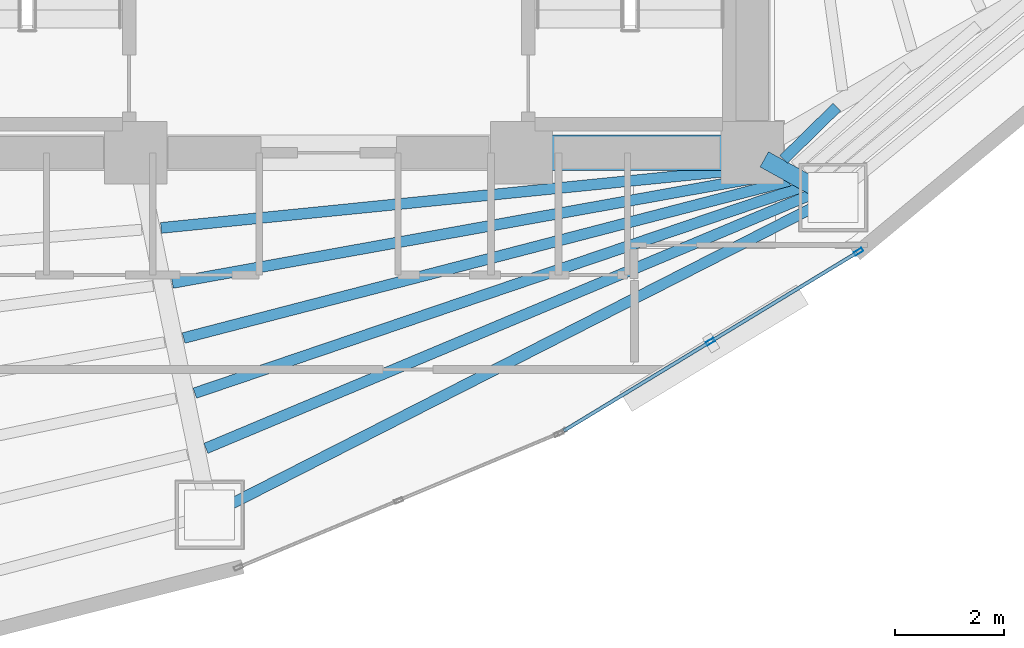
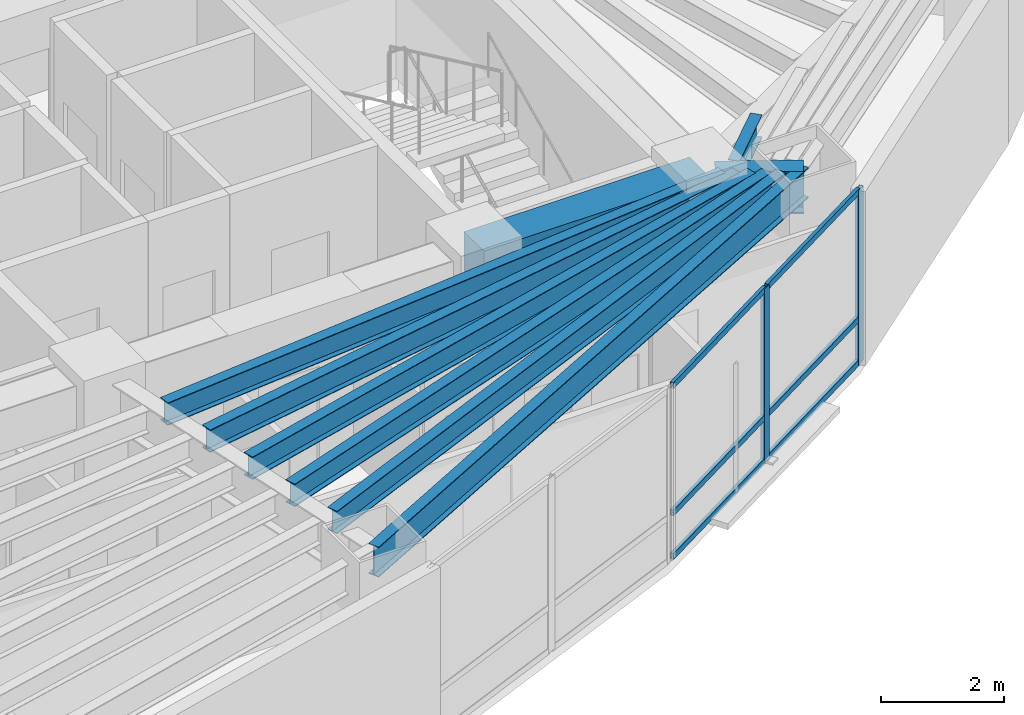
# One storey, part 5 of 16: 9 beams, 8 members, 1 element without a shape of its own.
"""IFC4 building model written with IfcOpenShell, lengths in metres."""

from ifc_helpers import new_model, si_unit, direction, frame, origin, origin_2d, place, context, subcontext, project, spatial, rectangle, hollow_rectangle, i_section, extrude, material, layer, layer_set, material_profile, profile_set, type_object, element, aggregate, save


model = new_model("IFC4")

# Units and contexts
model_context = context("Model", 3, precision=1e-05, world=origin(), true_north=direction((0.0, 1.0)))
body_context = subcontext(model_context, "Body", "Model", "MODEL_VIEW")
ifc_project = project(units=[si_unit("LENGTHUNIT", "METRE"), si_unit("AREAUNIT", "SQUARE_METRE"), si_unit("VOLUMEUNIT", "CUBIC_METRE"), si_unit("PLANEANGLEUNIT", "RADIAN"), si_unit("MASSUNIT", "GRAM", prefix="KILO")], contexts=[model_context])

# Site, building, storey
site_placement = place(None, origin())
site = spatial("IfcSite", under=ifc_project, at=site_placement, CompositionType="ELEMENT")
building_placement = place(site_placement, origin())
building = spatial("IfcBuilding", under=site, at=building_placement, Name="Menara Vayukalpa", CompositionType="ELEMENT")
storey_placement = place(building_placement, frame((0.0, 0.0, 72.239990234375)))
storey = spatial("IfcBuildingStorey", under=building, at=storey_placement, Name="L17", CompositionType="ELEMENT", Elevation=72.239990234375)

# Beams
ifc_material_1 = material(Name="Concrete C60/75", Category="concrete")
ifc_material_profile_1 = material_profile(ifc_material_1, rectangle(XDim=0.64990234375, YDim=0.85009765625, at=origin_2d()), Name="RC 650x850")
ifc_profile_set_1 = profile_set([ifc_material_profile_1], Name="Concrete C60/75")
beam_type_1 = type_object("IfcBeamType", Name="BM-CB1", PredefinedType="BEAM", material=ifc_profile_set_1)
beam_1_placement = place(storey_placement, frame((29.14990234375, 17.199951171875, 3.044921875), z_axis=(1.0, 0.0, 0.0), x_axis=(0.0, 1.0, 0.0)))
element("IfcBeam", 1, at=beam_1_placement, inside=storey, type_object=beam_type_1, Name="L17 Core Tie Beam CBR3", PredefinedType="BEAM", context=body_context, shape_type="SweptSolid", body=[
    extrude(rectangle(XDim=0.64990234375, YDim=0.85009765625, at=origin_2d()), origin(), (0.0, 0.0, 1.0), 4.25),
])
ifc_material_2 = material(Name="Steel S355", Category="steel")
ifc_material_profile_2 = material_profile(ifc_material_2, i_section(OverallWidth=0.320068359375, OverallDepth=0.85009765625, WebThickness=0.01611328125, FlangeThickness=0.030029296875, at=origin_2d()), Name="WF 850x320x16x30")
ifc_profile_set_2 = profile_set([ifc_material_profile_2], Name="Steel S355")
beam_type_2 = type_object("IfcBeamType", Name="BM-PG2", PredefinedType="BEAM", material=ifc_profile_set_2)
beam_2_placement = place(storey_placement, frame((33.618896484375, 17.0791015625, 3.044921875), z_axis=(0.875228391676, -0.48370989488, 0.0), x_axis=(0.48370989488, 0.875228391676, 0.0)))
element("IfcBeam", 2, at=beam_2_placement, inside=storey, type_object=beam_type_2, Name="L17 Primary Radial Girder RG09", PredefinedType="BEAM", context=body_context, shape_type="SweptSolid", body=[
    extrude(i_section(OverallWidth=0.320068359375, OverallDepth=0.85009765625, WebThickness=0.01611328125, FlangeThickness=0.030029296875, at=origin_2d()), origin(), (0.0, 0.0, 1.0), 1.448486328125),
])
ifc_material_3 = material(Name="Steel S355", Category="steel")
ifc_material_profile_3 = material_profile(ifc_material_3, i_section(OverallWidth=0.199951171875, OverallDepth=0.449951171875, WebThickness=0.009033203125, FlangeThickness=0.013916015625, at=origin_2d()), Name="WF 450x200x9x14")
ifc_profile_set_3 = profile_set([ifc_material_profile_3], Name="Steel S355")
beam_type_3 = type_object("IfcBeamType", Name="BM-SJ1", PredefinedType="JOIST", material=ifc_profile_set_3)
beam_3_placement = place(storey_placement, frame((22.514404296875, 15.81689453125, 3.2451171875), z_axis=(0.995012360471, 0.0997517043, 0.0), x_axis=(-0.0997517043, 0.995012360471, 0.0)))
element("IfcBeam", 3, at=beam_3_placement, inside=storey, type_object=beam_type_3, Name="L17 Secondary Floor Joist SJ08-1", PredefinedType="JOIST", context=body_context, shape_type="SweptSolid", body=[
    extrude(i_section(OverallWidth=0.199951171875, OverallDepth=0.449951171875, WebThickness=0.009033203125, FlangeThickness=0.013916015625, at=origin_2d()), origin(), (0.0, 0.0, 1.0), 11.20947265625),
])
beam_4_placement = place(storey_placement, frame((22.721923828125, 14.80322265625, 3.2451171875), z_axis=(0.984203304908, 0.177041957199, 0.0), x_axis=(-0.177041957199, 0.984203304908, 0.0)))
element("IfcBeam", 4, at=beam_4_placement, inside=storey, type_object=beam_type_3, Name="L17 Secondary Floor Joist SJ08-2", PredefinedType="JOIST", context=body_context, shape_type="SweptSolid", body=[
    extrude(i_section(OverallWidth=0.199951171875, OverallDepth=0.449951171875, WebThickness=0.009033203125, FlangeThickness=0.013916015625, at=origin_2d()), origin(), (0.0, 0.0, 1.0), 11.329833984375),
])
beam_5_placement = place(storey_placement, frame((22.92822265625, 13.7890625, 3.2451171875), z_axis=(0.9679190538, 0.25126222416, 0.0), x_axis=(-0.25126222416, 0.9679190538, 0.0)))
element("IfcBeam", 5, at=beam_5_placement, inside=storey, type_object=beam_type_3, Name="L17 Secondary Floor Joist SJ08-3", PredefinedType="JOIST", context=body_context, shape_type="SweptSolid", body=[
    extrude(i_section(OverallWidth=0.199951171875, OverallDepth=0.449951171875, WebThickness=0.009033203125, FlangeThickness=0.013916015625, at=origin_2d()), origin(), (0.0, 0.0, 1.0), 11.52001953125),
])
beam_6_placement = place(storey_placement, frame((23.1337890625, 12.774169921875, 3.2451171875), z_axis=(0.946954817661, 0.321366727134, 0.0), x_axis=(-0.321366727134, 0.946954817661, 0.0)))
element("IfcBeam", 6, at=beam_6_placement, inside=storey, type_object=beam_type_3, Name="L17 Secondary Floor Joist SJ08-4", PredefinedType="JOIST", context=body_context, shape_type="SweptSolid", body=[
    extrude(i_section(OverallWidth=0.199951171875, OverallDepth=0.449951171875, WebThickness=0.009033203125, FlangeThickness=0.013916015625, at=origin_2d()), origin(), (0.0, 0.0, 1.0), 11.776123046875),
])
beam_7_placement = place(storey_placement, frame((23.338623046875, 11.75830078125, 3.2451171875), z_axis=(0.922223639508, 0.386656900536, 0.0), x_axis=(-0.386656900536, 0.922223639508, 0.0)))
element("IfcBeam", 7, at=beam_7_placement, inside=storey, type_object=beam_type_3, Name="L17 Secondary Floor Joist SJ08-5", PredefinedType="JOIST", context=body_context, shape_type="SweptSolid", body=[
    extrude(i_section(OverallWidth=0.199951171875, OverallDepth=0.449951171875, WebThickness=0.009033203125, FlangeThickness=0.013916015625, at=origin_2d()), origin(), (0.0, 0.0, 1.0), 12.0947265625),
])
beam_8_placement = place(storey_placement, frame((33.9755859375, 17.0791015625, 3.2451171875), z_axis=(0.713661021906, 0.700491217512, 0.0), x_axis=(-0.700491217512, 0.713661021906, 0.0)))
element("IfcBeam", 8, at=beam_8_placement, inside=storey, type_object=beam_type_3, Name="L17 Secondary Floor Joist SJ09-1", PredefinedType="JOIST", context=body_context, shape_type="SweptSolid", body=[
    extrude(i_section(OverallWidth=0.199951171875, OverallDepth=0.449951171875, WebThickness=0.009033203125, FlangeThickness=0.013916015625, at=origin_2d()), origin(), (0.0, 0.0, 1.0), 1.371826171875),
])
ifc_material_4 = material(Name="Steel S355", Category="steel")
ifc_material_profile_4 = material_profile(ifc_material_4, i_section(OverallWidth=0.199951171875, OverallDepth=0.60009765625, WebThickness=0.010986328125, FlangeThickness=0.01708984375, at=origin_2d()), Name="WF 600x200x11x17")
ifc_profile_set_4 = profile_set([ifc_material_profile_4], Name="Steel S355")
beam_type_4 = type_object("IfcBeamType", Name="BM-SP1", PredefinedType="SPANDREL", material=ifc_profile_set_4)
beam_9_placement = place(storey_placement, frame((23.408203125, 10.53271484375, 3.169921875), z_axis=(0.891097345221, 0.453812209333, 0.0), x_axis=(-0.453812209333, 0.891097345221, 0.0)))
element("IfcBeam", 9, at=beam_9_placement, inside=storey, type_object=beam_type_4, Name="L17 Perimeter Spandrel Beam SP08", PredefinedType="SPANDREL", context=body_context, shape_type="SweptSolid", body=[
    extrude(i_section(OverallWidth=0.199951171875, OverallDepth=0.60009765625, WebThickness=0.010986328125, FlangeThickness=0.01708984375, at=origin_2d()), origin(), (0.0, 0.0, 1.0), 12.88134765625),
])

# Curtain wall, members
ifc_material_5 = material(Name="Anodised Terracotta Aluminium Alloy 6063-T6", Category="masonry")
ifc_layer = layer(ifc_material_5, 0.1650390625)
ifc_layer_set = layer_set([ifc_layer], Name="Anodised Terracotta Aluminium Alloy 6063-T6")
curtain_wall_type = type_object("IfcCurtainWallType", Name="CW-CW2", PredefinedType="USERDEFINED", material=ifc_layer_set)
curtain_wall_placement = place(storey_placement, origin())
curtain_wall = element("IfcCurtainWall", 10, at=curtain_wall_placement, inside=storey, type_object=curtain_wall_type, Name="L17 Low Rise Terracotta Ribbon Curtain Wall CW2 17", ObjectType="UNITISED", PredefinedType="USERDEFINED")
ifc_material_6 = material(Name="Anodised Terracotta Aluminium Alloy 6063-T6", Category="masonry")
ifc_material_profile_5 = material_profile(ifc_material_6, hollow_rectangle(XDim=0.070068359375, YDim=0.1650390625, WallThickness=0.00390625, at=origin_2d()), Name="ALU 70x165x4")
ifc_profile_set_5 = profile_set([ifc_material_profile_5], Name="Anodised Terracotta Aluminium Alloy 6063-T6")
member_type_1 = type_object("IfcMemberType", Name="CWM-CW2", PredefinedType="MULLION", material=ifc_profile_set_5)
member_1_placement = place(storey_placement, frame((32.6259765625, 13.721435546875, 0.0), z_axis=(0.0, 0.0, 1.0), x_axis=(-0.519182959112, 0.854663123674, 0.0)))
member_1 = element("IfcMember", 11, at=member_1_placement, type_object=member_type_1, Name="CW2 mullion 2", PredefinedType="MULLION", context=body_context, shape_type="SweptSolid", body=[
    extrude(hollow_rectangle(XDim=0.070068359375, YDim=0.1650390625, WallThickness=0.00390625, at=origin_2d()), origin(), (0.0, 0.0, 1.0), 3.469970703125),
])
member_2_placement = place(storey_placement, frame((35.356201171875, 15.3798828125, 0.0), z_axis=(0.0, 0.0, 1.0), x_axis=(-0.519182959112, 0.854663123674, 0.0)))
member_2 = element("IfcMember", 12, at=member_2_placement, type_object=member_type_1, Name="CW2 mullion 3", PredefinedType="MULLION", context=body_context, shape_type="SweptSolid", body=[
    extrude(hollow_rectangle(XDim=0.070068359375, YDim=0.1650390625, WallThickness=0.00390625, at=origin_2d()), origin(), (0.0, 0.0, 1.0), 3.469970703125),
])
ifc_material_7 = material(Name="Anodised Terracotta Aluminium Alloy 6063-T6", Category="masonry")
ifc_material_profile_6 = material_profile(ifc_material_7, hollow_rectangle(XDim=0.06494140625, YDim=0.1201171875, WallThickness=0.00341796875, at=origin_2d()), Name="ALU 65x120x3.5")
ifc_profile_set_6 = profile_set([ifc_material_profile_6], Name="Anodised Terracotta Aluminium Alloy 6063-T6")
member_type_2 = type_object("IfcMemberType", Name="CWT-CW2", PredefinedType="USERDEFINED", material=ifc_profile_set_6)
member_3_placement = place(storey_placement, frame((29.92578125, 12.0810546875, 0.032470703125), z_axis=(0.854625293212, 0.519245229349, 0.0), x_axis=(-0.519245229349, 0.854625293212, 0.0)))
member_3 = element("IfcMember", 13, at=member_3_placement, type_object=member_type_2, Name="CW2 transom 1.1", ObjectType="TRANSOM", PredefinedType="USERDEFINED", context=body_context, shape_type="SweptSolid", body=[
    extrude(hollow_rectangle(XDim=0.06494140625, YDim=0.1201171875, WallThickness=0.00341796875, at=origin_2d()), origin(), (0.0, 0.0, 1.0), 3.124267578125),
])
member_4_placement = place(storey_placement, frame((29.92578125, 12.0810546875, 0.89990234375), z_axis=(0.854625293212, 0.519245229349, 0.0), x_axis=(-0.519245229349, 0.854625293212, 0.0)))
member_4 = element("IfcMember", 14, at=member_4_placement, type_object=member_type_2, Name="CW2 transom 1.2", ObjectType="TRANSOM", PredefinedType="USERDEFINED", context=body_context, shape_type="SweptSolid", body=[
    extrude(hollow_rectangle(XDim=0.06494140625, YDim=0.1201171875, WallThickness=0.00341796875, at=origin_2d()), origin(), (0.0, 0.0, 1.0), 3.124267578125),
])
member_5_placement = place(storey_placement, frame((29.92578125, 12.0810546875, 3.4375), z_axis=(0.854625293212, 0.519245229349, 0.0), x_axis=(-0.519245229349, 0.854625293212, 0.0)))
member_5 = element("IfcMember", 15, at=member_5_placement, type_object=member_type_2, Name="CW2 transom 1.3", ObjectType="TRANSOM", PredefinedType="USERDEFINED", context=body_context, shape_type="SweptSolid", body=[
    extrude(hollow_rectangle(XDim=0.06494140625, YDim=0.1201171875, WallThickness=0.00341796875, at=origin_2d()), origin(), (0.0, 0.0, 1.0), 3.124267578125),
])
member_6_placement = place(storey_placement, frame((32.65576171875, 13.739501953125, 0.032470703125), z_axis=(0.854646359065, 0.519210555494, 0.0), x_axis=(-0.519210555494, 0.854646359065, 0.0)))
member_6 = element("IfcMember", 16, at=member_6_placement, type_object=member_type_2, Name="CW2 transom 2.1", ObjectType="TRANSOM", PredefinedType="USERDEFINED", context=body_context, shape_type="SweptSolid", body=[
    extrude(hollow_rectangle(XDim=0.06494140625, YDim=0.1201171875, WallThickness=0.00341796875, at=origin_2d()), origin(), (0.0, 0.0, 1.0), 3.12451171875),
])
member_7_placement = place(storey_placement, frame((32.65576171875, 13.739501953125, 0.89990234375), z_axis=(0.854646359065, 0.519210555494, 0.0), x_axis=(-0.519210555494, 0.854646359065, 0.0)))
member_7 = element("IfcMember", 17, at=member_7_placement, type_object=member_type_2, Name="CW2 transom 2.2", ObjectType="TRANSOM", PredefinedType="USERDEFINED", context=body_context, shape_type="SweptSolid", body=[
    extrude(hollow_rectangle(XDim=0.06494140625, YDim=0.1201171875, WallThickness=0.00341796875, at=origin_2d()), origin(), (0.0, 0.0, 1.0), 3.12451171875),
])
member_8_placement = place(storey_placement, frame((32.65576171875, 13.739501953125, 3.4375), z_axis=(0.854646359065, 0.519210555494, 0.0), x_axis=(-0.519210555494, 0.854646359065, 0.0)))
member_8 = element("IfcMember", 18, at=member_8_placement, type_object=member_type_2, Name="CW2 transom 2.3", ObjectType="TRANSOM", PredefinedType="USERDEFINED", context=body_context, shape_type="SweptSolid", body=[
    extrude(hollow_rectangle(XDim=0.06494140625, YDim=0.1201171875, WallThickness=0.00341796875, at=origin_2d()), origin(), (0.0, 0.0, 1.0), 3.12451171875),
])
aggregate(curtain_wall, [member_1, member_2, member_3, member_4, member_5, member_6, member_7, member_8])

save(model, "model.ifc")
